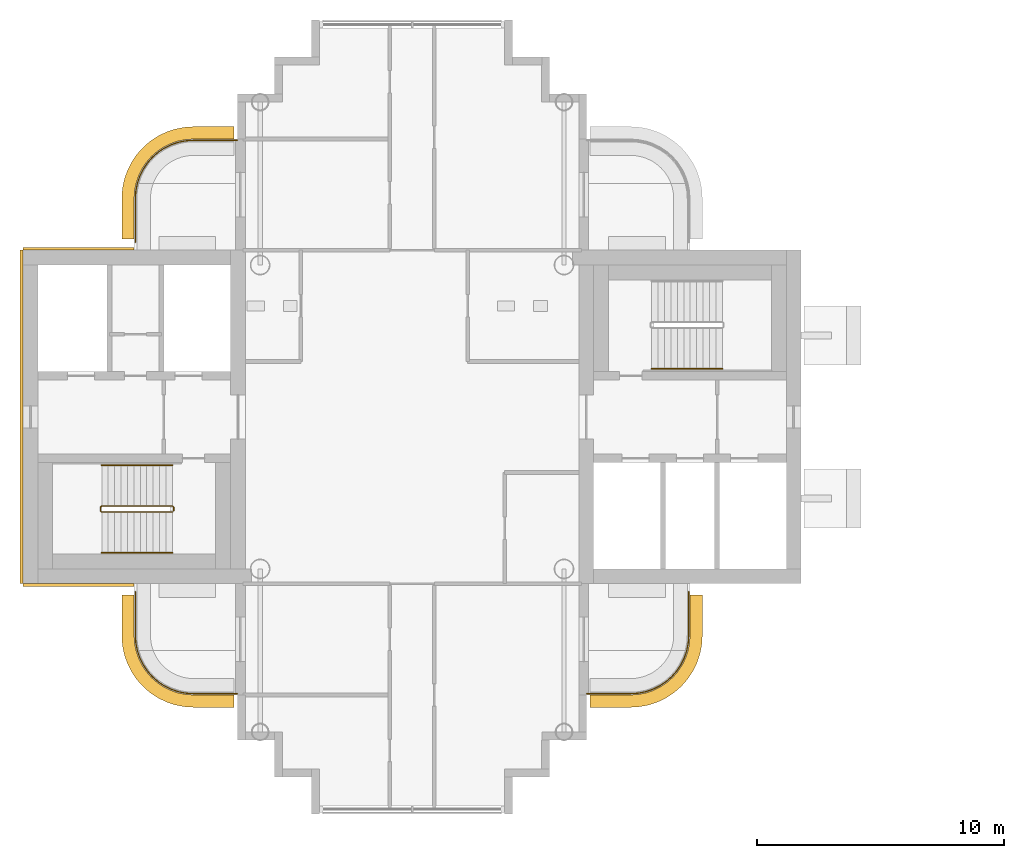
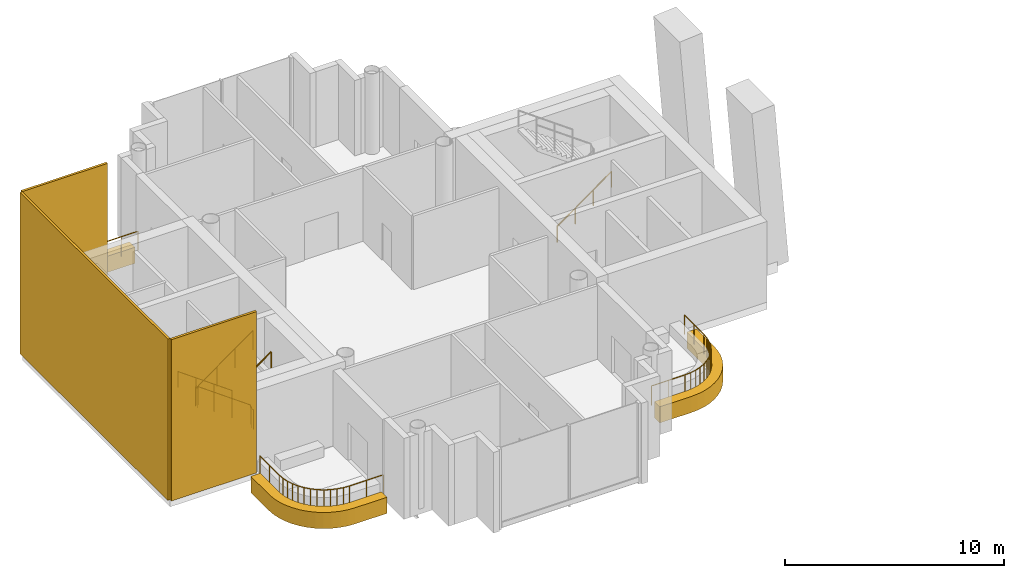
# One storey, part 16 of 19: 7 railings, 6 coverings.
"""IFC4 building model written with IfcOpenShell, lengths in metres."""

from ifc_helpers import new_model, si_unit, direction, frame, origin, origin_2d, place, context, subcontext, project, spatial, polyline, rectangle, circle, outline, extrude, material, layer, layer_set, type_object, element, save


model = new_model("IFC4")

# Units and contexts
model_context = context("Model", 3, precision=1e-05, world=origin(), true_north=direction((0.0, 1.0)))
body_context = subcontext(model_context, "Body", "Model", "MODEL_VIEW")
ifc_project = project(units=[si_unit("LENGTHUNIT", "METRE"), si_unit("AREAUNIT", "SQUARE_METRE"), si_unit("VOLUMEUNIT", "CUBIC_METRE"), si_unit("PLANEANGLEUNIT", "RADIAN"), si_unit("MASSUNIT", "GRAM", prefix="KILO")], contexts=[model_context])

# Site, building, storey
site_placement = place(None, origin())
site = spatial("IfcSite", under=ifc_project, at=site_placement, CompositionType="ELEMENT")
building_placement = place(site_placement, origin())
building = spatial("IfcBuilding", under=site, at=building_placement, Name="Ipe Terrace Towers", CompositionType="ELEMENT")
storey_placement = place(building_placement, frame((0.0, 0.0, 237.89990234375)))
storey = spatial("IfcBuildingStorey", under=building, at=storey_placement, Name="L66", CompositionType="ELEMENT", Elevation=237.89990234375)

# Railings
ifc_material_1 = material(Name="Stainless steel S316", Category="steel")
railing_type_1 = type_object("IfcRailingType", Name="GUARD 1100", PredefinedType="BALUSTRADE", material=ifc_material_1)
railing_1_placement = place(storey_placement, frame((-47.199951171875, -7.070068359375, -0.02001953125)))
element("IfcRailing", 1, at=railing_1_placement, inside=storey, type_object=railing_type_1, Name="guard", PredefinedType="BALUSTRADE", context=body_context, shape_type="SweptSolid", body=[
    extrude(circle(Radius=0.02392578125, at=origin_2d()), frame((0.0, 0.0, 1.076171875), z_axis=(0.0, -1.0, 0.0), x_axis=(1.0, 0.0, 0.0)), (0.0, 0.0, 1.0), 1.77783203125),
    extrude(circle(Radius=0.02392578125, at=origin_2d()), frame((0.0, -1.77783203125, 1.076171875), z_axis=(0.064635492184, -0.99790894031, 0.0), x_axis=(0.99790894031, 0.064635492184, 0.0)), (0.0, 0.0, 1.0), 0.309814453125),
    extrude(circle(Radius=0.02392578125, at=origin_2d()), frame((0.02001953125, -2.0869140625, 1.076171875), z_axis=(0.194892169718, -0.980824674538, 0.0), x_axis=(0.980824674538, 0.194892169718, 0.0)), (0.0, 0.0, 1.0), 0.306884765625),
    extrude(circle(Radius=0.02392578125, at=origin_2d()), frame((0.079833984375, -2.387939453125, 1.076171875), z_axis=(0.322415209212, -0.946598348228, 0.0), x_axis=(0.946598348228, 0.322415209212, 0.0)), (0.0, 0.0, 1.0), 0.307373046875),
    extrude(circle(Radius=0.02392578125, at=origin_2d()), frame((0.178955078125, -2.678955078125, 1.076171875), z_axis=(0.44212629539, -0.896952807524, 0.0), x_axis=(0.896952807524, 0.44212629539, 0.0)), (0.0, 0.0, 1.0), 0.3076171875),
    extrude(circle(Radius=0.02392578125, at=origin_2d()), frame((0.31494140625, -2.954833984375, 1.076171875), z_axis=(0.555066120228, -0.831806228742, 0.0), x_axis=(0.831806228742, 0.555066120228, 0.0)), (0.0, 0.0, 1.0), 0.307861328125),
    extrude(circle(Radius=0.02392578125, at=origin_2d()), frame((0.48583984375, -3.2109375, 1.076171875), z_axis=(0.658617227954, -0.752478137252, 0.0), x_axis=(0.752478137252, 0.658617227954, 0.0)), (0.0, 0.0, 1.0), 0.306884765625),
    extrude(circle(Radius=0.02392578125, at=origin_2d()), frame((0.68798828125, -3.44189453125, 1.076171875), z_axis=(0.752478137252, -0.658617227954, 0.0), x_axis=(0.658617227954, 0.752478137252, 0.0)), (0.0, 0.0, 1.0), 0.306884765625),
    extrude(circle(Radius=0.02392578125, at=origin_2d()), frame((0.9189453125, -3.64404296875, 1.076171875), z_axis=(0.831806228742, -0.555066120228, 0.0), x_axis=(0.555066120228, 0.831806228742, 0.0)), (0.0, 0.0, 1.0), 0.307861328125),
    extrude(circle(Radius=0.02392578125, at=origin_2d()), frame((1.175048828125, -3.81494140625, 1.076171875), z_axis=(0.896952807524, -0.44212629539, 0.0), x_axis=(0.44212629539, 0.896952807524, 0.0)), (0.0, 0.0, 1.0), 0.3076171875),
    extrude(circle(Radius=0.02392578125, at=origin_2d()), frame((1.450927734375, -3.950927734375, 1.076171875), z_axis=(0.946598348228, -0.322415209212, 0.0), x_axis=(0.322415209212, 0.946598348228, 0.0)), (0.0, 0.0, 1.0), 0.307373046875),
    extrude(circle(Radius=0.02392578125, at=origin_2d()), frame((1.741943359375, -4.050048828125, 1.076171875), z_axis=(0.980824674538, -0.194892169718, 0.0), x_axis=(0.194892169718, 0.980824674538, 0.0)), (0.0, 0.0, 1.0), 0.306884765625),
    extrude(circle(Radius=0.02392578125, at=origin_2d()), frame((2.04296875, -4.10986328125, 1.076171875), z_axis=(0.99790894031, -0.064635492184, 0.0), x_axis=(0.064635492184, 0.99790894031, 0.0)), (0.0, 0.0, 1.0), 0.309814453125),
    extrude(circle(Radius=0.02392578125, at=origin_2d()), frame((2.35205078125, -4.1298828125, 1.076171875), z_axis=(1.0, 0.0, 0.0), x_axis=(0.0, 1.0, 0.0)), (0.0, 0.0, 1.0), 1.77783203125),
    extrude(circle(Radius=0.02099609375, at=origin_2d()), origin(), (0.0, 0.0, 1.0), 1.052001953125),
    extrude(circle(Radius=0.02099609375, at=origin_2d()), frame((0.0, -0.888916015625, 0.0)), (0.0, 0.0, 1.0), 1.052001953125),
    extrude(circle(Radius=0.02099609375, at=origin_2d()), frame((0.0, -1.77783203125, 0.0)), (0.0, 0.0, 1.0), 1.052001953125),
    extrude(circle(Radius=0.02099609375, at=origin_2d()), frame((0.02001953125, -2.0869140625, 0.0)), (0.0, 0.0, 1.0), 1.052001953125),
    extrude(circle(Radius=0.02099609375, at=origin_2d()), frame((0.079833984375, -2.387939453125, 0.0)), (0.0, 0.0, 1.0), 1.052001953125),
    extrude(circle(Radius=0.02099609375, at=origin_2d()), frame((0.178955078125, -2.678955078125, 0.0)), (0.0, 0.0, 1.0), 1.052001953125),
    extrude(circle(Radius=0.02099609375, at=origin_2d()), frame((0.31494140625, -2.954833984375, 0.0)), (0.0, 0.0, 1.0), 1.052001953125),
    extrude(circle(Radius=0.02099609375, at=origin_2d()), frame((0.48583984375, -3.2109375, 0.0)), (0.0, 0.0, 1.0), 1.052001953125),
    extrude(circle(Radius=0.02099609375, at=origin_2d()), frame((0.68798828125, -3.44189453125, 0.0)), (0.0, 0.0, 1.0), 1.052001953125),
    extrude(circle(Radius=0.02099609375, at=origin_2d()), frame((0.9189453125, -3.64404296875, 0.0)), (0.0, 0.0, 1.0), 1.052001953125),
    extrude(circle(Radius=0.02099609375, at=origin_2d()), frame((1.175048828125, -3.81494140625, 0.0)), (0.0, 0.0, 1.0), 1.052001953125),
    extrude(circle(Radius=0.02099609375, at=origin_2d()), frame((1.450927734375, -3.950927734375, 0.0)), (0.0, 0.0, 1.0), 1.052001953125),
    extrude(circle(Radius=0.02099609375, at=origin_2d()), frame((1.741943359375, -4.050048828125, 0.0)), (0.0, 0.0, 1.0), 1.052001953125),
    extrude(circle(Radius=0.02099609375, at=origin_2d()), frame((2.04296875, -4.10986328125, 0.0)), (0.0, 0.0, 1.0), 1.052001953125),
    extrude(circle(Radius=0.02099609375, at=origin_2d()), frame((2.35205078125, -4.1298828125, 0.0)), (0.0, 0.0, 1.0), 1.052001953125),
    extrude(circle(Radius=0.02099609375, at=origin_2d()), frame((3.240966796875, -4.1298828125, 0.0)), (0.0, 0.0, 1.0), 1.052001953125),
    extrude(circle(Radius=0.02099609375, at=origin_2d()), frame((4.1298828125, -4.1298828125, 0.0)), (0.0, 0.0, 1.0), 1.052001953125),
])
railing_2_placement = place(storey_placement, frame((-43.070068359375, 11.199951171875, -0.02001953125)))
element("IfcRailing", 2, at=railing_2_placement, inside=storey, type_object=railing_type_1, Name="guard", PredefinedType="BALUSTRADE", context=body_context, shape_type="SweptSolid", body=[
    extrude(circle(Radius=0.02392578125, at=origin_2d()), frame((0.0, 0.0, 1.076171875), z_axis=(-1.0, 0.0, 0.0), x_axis=(0.0, -1.0, 0.0)), (0.0, 0.0, 1.0), 1.77783203125),
    extrude(circle(Radius=0.02392578125, at=origin_2d()), frame((-1.77783203125, 0.0, 1.076171875), z_axis=(-0.99790894031, -0.064635492184, 0.0), x_axis=(0.064635492184, -0.99790894031, 0.0)), (0.0, 0.0, 1.0), 0.309814453125),
    extrude(circle(Radius=0.02392578125, at=origin_2d()), frame((-2.0869140625, -0.02001953125, 1.076171875), z_axis=(-0.980824674538, -0.194892169718, 0.0), x_axis=(0.194892169718, -0.980824674538, 0.0)), (0.0, 0.0, 1.0), 0.306884765625),
    extrude(circle(Radius=0.02392578125, at=origin_2d()), frame((-2.387939453125, -0.079833984375, 1.076171875), z_axis=(-0.946598348228, -0.322415209212, 0.0), x_axis=(0.322415209212, -0.946598348228, 0.0)), (0.0, 0.0, 1.0), 0.307373046875),
    extrude(circle(Radius=0.02392578125, at=origin_2d()), frame((-2.678955078125, -0.178955078125, 1.076171875), z_axis=(-0.896952807524, -0.44212629539, 0.0), x_axis=(0.44212629539, -0.896952807524, 0.0)), (0.0, 0.0, 1.0), 0.3076171875),
    extrude(circle(Radius=0.02392578125, at=origin_2d()), frame((-2.954833984375, -0.31494140625, 1.076171875), z_axis=(-0.831806228742, -0.555066120228, 0.0), x_axis=(0.555066120228, -0.831806228742, 0.0)), (0.0, 0.0, 1.0), 0.307861328125),
    extrude(circle(Radius=0.02392578125, at=origin_2d()), frame((-3.2109375, -0.48583984375, 1.076171875), z_axis=(-0.752478137252, -0.658617227954, 0.0), x_axis=(0.658617227954, -0.752478137252, 0.0)), (0.0, 0.0, 1.0), 0.306884765625),
    extrude(circle(Radius=0.02392578125, at=origin_2d()), frame((-3.44189453125, -0.68798828125, 1.076171875), z_axis=(-0.658617227954, -0.752478137252, 0.0), x_axis=(0.752478137252, -0.658617227954, 0.0)), (0.0, 0.0, 1.0), 0.306884765625),
    extrude(circle(Radius=0.02392578125, at=origin_2d()), frame((-3.64404296875, -0.9189453125, 1.076171875), z_axis=(-0.555066120228, -0.831806228742, 0.0), x_axis=(0.831806228742, -0.555066120228, 0.0)), (0.0, 0.0, 1.0), 0.307861328125),
    extrude(circle(Radius=0.02392578125, at=origin_2d()), frame((-3.81494140625, -1.175048828125, 1.076171875), z_axis=(-0.44212629539, -0.896952807524, 0.0), x_axis=(0.896952807524, -0.44212629539, 0.0)), (0.0, 0.0, 1.0), 0.3076171875),
    extrude(circle(Radius=0.02392578125, at=origin_2d()), frame((-3.950927734375, -1.450927734375, 1.076171875), z_axis=(-0.322415209212, -0.946598348228, 0.0), x_axis=(0.946598348228, -0.322415209212, 0.0)), (0.0, 0.0, 1.0), 0.307373046875),
    extrude(circle(Radius=0.02392578125, at=origin_2d()), frame((-4.050048828125, -1.741943359375, 1.076171875), z_axis=(-0.194892169718, -0.980824674538, 0.0), x_axis=(0.980824674538, -0.194892169718, 0.0)), (0.0, 0.0, 1.0), 0.306884765625),
    extrude(circle(Radius=0.02392578125, at=origin_2d()), frame((-4.10986328125, -2.04296875, 1.076171875), z_axis=(-0.064635492184, -0.99790894031, 0.0), x_axis=(0.99790894031, -0.064635492184, 0.0)), (0.0, 0.0, 1.0), 0.309814453125),
    extrude(circle(Radius=0.02392578125, at=origin_2d()), frame((-4.1298828125, -2.35205078125, 1.076171875), z_axis=(0.0, -1.0, 0.0), x_axis=(1.0, 0.0, 0.0)), (0.0, 0.0, 1.0), 1.77783203125),
    extrude(circle(Radius=0.02099609375, at=origin_2d()), origin(), (0.0, 0.0, 1.0), 1.052001953125),
    extrude(circle(Radius=0.02099609375, at=origin_2d()), frame((-0.888916015625, 0.0, 0.0)), (0.0, 0.0, 1.0), 1.052001953125),
    extrude(circle(Radius=0.02099609375, at=origin_2d()), frame((-1.77783203125, 0.0, 0.0)), (0.0, 0.0, 1.0), 1.052001953125),
    extrude(circle(Radius=0.02099609375, at=origin_2d()), frame((-2.0869140625, -0.02001953125, 0.0)), (0.0, 0.0, 1.0), 1.052001953125),
    extrude(circle(Radius=0.02099609375, at=origin_2d()), frame((-2.387939453125, -0.079833984375, 0.0)), (0.0, 0.0, 1.0), 1.052001953125),
    extrude(circle(Radius=0.02099609375, at=origin_2d()), frame((-2.678955078125, -0.178955078125, 0.0)), (0.0, 0.0, 1.0), 1.052001953125),
    extrude(circle(Radius=0.02099609375, at=origin_2d()), frame((-2.954833984375, -0.31494140625, 0.0)), (0.0, 0.0, 1.0), 1.052001953125),
    extrude(circle(Radius=0.02099609375, at=origin_2d()), frame((-3.2109375, -0.48583984375, 0.0)), (0.0, 0.0, 1.0), 1.052001953125),
    extrude(circle(Radius=0.02099609375, at=origin_2d()), frame((-3.44189453125, -0.68798828125, 0.0)), (0.0, 0.0, 1.0), 1.052001953125),
    extrude(circle(Radius=0.02099609375, at=origin_2d()), frame((-3.64404296875, -0.9189453125, 0.0)), (0.0, 0.0, 1.0), 1.052001953125),
    extrude(circle(Radius=0.02099609375, at=origin_2d()), frame((-3.81494140625, -1.175048828125, 0.0)), (0.0, 0.0, 1.0), 1.052001953125),
    extrude(circle(Radius=0.02099609375, at=origin_2d()), frame((-3.950927734375, -1.450927734375, 0.0)), (0.0, 0.0, 1.0), 1.052001953125),
    extrude(circle(Radius=0.02099609375, at=origin_2d()), frame((-4.050048828125, -1.741943359375, 0.0)), (0.0, 0.0, 1.0), 1.052001953125),
    extrude(circle(Radius=0.02099609375, at=origin_2d()), frame((-4.10986328125, -2.04296875, 0.0)), (0.0, 0.0, 1.0), 1.052001953125),
    extrude(circle(Radius=0.02099609375, at=origin_2d()), frame((-4.1298828125, -2.35205078125, 0.0)), (0.0, 0.0, 1.0), 1.052001953125),
    extrude(circle(Radius=0.02099609375, at=origin_2d()), frame((-4.1298828125, -3.240966796875, 0.0)), (0.0, 0.0, 1.0), 1.052001953125),
    extrude(circle(Radius=0.02099609375, at=origin_2d()), frame((-4.1298828125, -4.1298828125, 0.0)), (0.0, 0.0, 1.0), 1.052001953125),
])
railing_3_placement = place(storey_placement, frame((-28.929931640625, -11.199951171875, -0.02001953125)))
element("IfcRailing", 3, at=railing_3_placement, inside=storey, type_object=railing_type_1, Name="guard", PredefinedType="BALUSTRADE", context=body_context, shape_type="SweptSolid", body=[
    extrude(circle(Radius=0.02392578125, at=origin_2d()), frame((0.0, 0.0, 1.076171875), z_axis=(1.0, 0.0, 0.0), x_axis=(0.0, 1.0, 0.0)), (0.0, 0.0, 1.0), 1.77783203125),
    extrude(circle(Radius=0.02392578125, at=origin_2d()), frame((1.77783203125, 0.0, 1.076171875), z_axis=(0.99790894031, 0.064635492184, 0.0), x_axis=(-0.064635492184, 0.99790894031, 0.0)), (0.0, 0.0, 1.0), 0.309814453125),
    extrude(circle(Radius=0.02392578125, at=origin_2d()), frame((2.0869140625, 0.02001953125, 1.076171875), z_axis=(0.980824674538, 0.194892169718, 0.0), x_axis=(-0.194892169718, 0.980824674538, 0.0)), (0.0, 0.0, 1.0), 0.306884765625),
    extrude(circle(Radius=0.02392578125, at=origin_2d()), frame((2.387939453125, 0.079833984375, 1.076171875), z_axis=(0.946598348228, 0.322415209212, 0.0), x_axis=(-0.322415209212, 0.946598348228, 0.0)), (0.0, 0.0, 1.0), 0.307373046875),
    extrude(circle(Radius=0.02392578125, at=origin_2d()), frame((2.678955078125, 0.178955078125, 1.076171875), z_axis=(0.896952807524, 0.44212629539, 0.0), x_axis=(-0.44212629539, 0.896952807524, 0.0)), (0.0, 0.0, 1.0), 0.3076171875),
    extrude(circle(Radius=0.02392578125, at=origin_2d()), frame((2.954833984375, 0.31494140625, 1.076171875), z_axis=(0.831806228742, 0.555066120228, 0.0), x_axis=(-0.555066120228, 0.831806228742, 0.0)), (0.0, 0.0, 1.0), 0.307861328125),
    extrude(circle(Radius=0.02392578125, at=origin_2d()), frame((3.2109375, 0.48583984375, 1.076171875), z_axis=(0.752478137252, 0.658617227954, 0.0), x_axis=(-0.658617227954, 0.752478137252, 0.0)), (0.0, 0.0, 1.0), 0.306884765625),
    extrude(circle(Radius=0.02392578125, at=origin_2d()), frame((3.44189453125, 0.68798828125, 1.076171875), z_axis=(0.658617227954, 0.752478137252, 0.0), x_axis=(-0.752478137252, 0.658617227954, 0.0)), (0.0, 0.0, 1.0), 0.306884765625),
    extrude(circle(Radius=0.02392578125, at=origin_2d()), frame((3.64404296875, 0.9189453125, 1.076171875), z_axis=(0.555066120228, 0.831806228742, 0.0), x_axis=(-0.831806228742, 0.555066120228, 0.0)), (0.0, 0.0, 1.0), 0.307861328125),
    extrude(circle(Radius=0.02392578125, at=origin_2d()), frame((3.81494140625, 1.175048828125, 1.076171875), z_axis=(0.44212629539, 0.896952807524, 0.0), x_axis=(-0.896952807524, 0.44212629539, 0.0)), (0.0, 0.0, 1.0), 0.3076171875),
    extrude(circle(Radius=0.02392578125, at=origin_2d()), frame((3.950927734375, 1.450927734375, 1.076171875), z_axis=(0.322415209212, 0.946598348228, 0.0), x_axis=(-0.946598348228, 0.322415209212, 0.0)), (0.0, 0.0, 1.0), 0.307373046875),
    extrude(circle(Radius=0.02392578125, at=origin_2d()), frame((4.050048828125, 1.741943359375, 1.076171875), z_axis=(0.194892169718, 0.980824674538, 0.0), x_axis=(-0.980824674538, 0.194892169718, 0.0)), (0.0, 0.0, 1.0), 0.306884765625),
    extrude(circle(Radius=0.02392578125, at=origin_2d()), frame((4.10986328125, 2.04296875, 1.076171875), z_axis=(0.064635492184, 0.99790894031, 0.0), x_axis=(-0.99790894031, 0.064635492184, 0.0)), (0.0, 0.0, 1.0), 0.309814453125),
    extrude(circle(Radius=0.02392578125, at=origin_2d()), frame((4.1298828125, 2.35205078125, 1.076171875), z_axis=(0.0, 1.0, 0.0), x_axis=(-1.0, 0.0, 0.0)), (0.0, 0.0, 1.0), 1.77783203125),
    extrude(circle(Radius=0.02099609375, at=origin_2d()), origin(), (0.0, 0.0, 1.0), 1.052001953125),
    extrude(circle(Radius=0.02099609375, at=origin_2d()), frame((0.888916015625, 0.0, 0.0)), (0.0, 0.0, 1.0), 1.052001953125),
    extrude(circle(Radius=0.02099609375, at=origin_2d()), frame((1.77783203125, 0.0, 0.0)), (0.0, 0.0, 1.0), 1.052001953125),
    extrude(circle(Radius=0.02099609375, at=origin_2d()), frame((2.0869140625, 0.02001953125, 0.0)), (0.0, 0.0, 1.0), 1.052001953125),
    extrude(circle(Radius=0.02099609375, at=origin_2d()), frame((2.387939453125, 0.079833984375, 0.0)), (0.0, 0.0, 1.0), 1.052001953125),
    extrude(circle(Radius=0.02099609375, at=origin_2d()), frame((2.678955078125, 0.178955078125, 0.0)), (0.0, 0.0, 1.0), 1.052001953125),
    extrude(circle(Radius=0.02099609375, at=origin_2d()), frame((2.954833984375, 0.31494140625, 0.0)), (0.0, 0.0, 1.0), 1.052001953125),
    extrude(circle(Radius=0.02099609375, at=origin_2d()), frame((3.2109375, 0.48583984375, 0.0)), (0.0, 0.0, 1.0), 1.052001953125),
    extrude(circle(Radius=0.02099609375, at=origin_2d()), frame((3.44189453125, 0.68798828125, 0.0)), (0.0, 0.0, 1.0), 1.052001953125),
    extrude(circle(Radius=0.02099609375, at=origin_2d()), frame((3.64404296875, 0.9189453125, 0.0)), (0.0, 0.0, 1.0), 1.052001953125),
    extrude(circle(Radius=0.02099609375, at=origin_2d()), frame((3.81494140625, 1.175048828125, 0.0)), (0.0, 0.0, 1.0), 1.052001953125),
    extrude(circle(Radius=0.02099609375, at=origin_2d()), frame((3.950927734375, 1.450927734375, 0.0)), (0.0, 0.0, 1.0), 1.052001953125),
    extrude(circle(Radius=0.02099609375, at=origin_2d()), frame((4.050048828125, 1.741943359375, 0.0)), (0.0, 0.0, 1.0), 1.052001953125),
    extrude(circle(Radius=0.02099609375, at=origin_2d()), frame((4.10986328125, 2.04296875, 0.0)), (0.0, 0.0, 1.0), 1.052001953125),
    extrude(circle(Radius=0.02099609375, at=origin_2d()), frame((4.1298828125, 2.35205078125, 0.0)), (0.0, 0.0, 1.0), 1.052001953125),
    extrude(circle(Radius=0.02099609375, at=origin_2d()), frame((4.1298828125, 3.240966796875, 0.0)), (0.0, 0.0, 1.0), 1.052001953125),
    extrude(circle(Radius=0.02099609375, at=origin_2d()), frame((4.1298828125, 4.1298828125, 0.0)), (0.0, 0.0, 1.0), 1.052001953125),
])

# Coverings
ifc_material_2 = material(Name="Concrete C50/60 precast, buff finish", Category="concrete")
ifc_layer_1 = layer(ifc_material_2, 0.1201171875)
ifc_layer_set_1 = layer_set([ifc_layer_1], Name="STONE CORE CLADDING 120")
covering_type_1 = type_object("IfcCoveringType", Name="STONE CORE CLADDING 120", PredefinedType="CLADDING", material=ifc_layer_set_1)
covering_1_placement = place(storey_placement, frame((-49.5, -6.81005859375, 0.0), z_axis=(0.0, 0.0, 1.0), x_axis=(1.0, 0.0, 0.0)))
element("IfcCovering", 4, at=covering_1_placement, inside=storey, type_object=covering_type_1, Name="stone core cladding", PredefinedType="CLADDING", context=body_context, shape_type="SweptSolid", body=[
    extrude(rectangle(XDim=4.5, YDim=0.1201171875, at=origin_2d()), origin(), (0.0, 0.0, 1.0), 9.0),
])
covering_2_placement = place(storey_placement, frame((-51.81005859375, 0.0, 0.0), z_axis=(0.0, 0.0, 1.0), x_axis=(0.0, -1.0, 0.0)))
element("IfcCovering", 5, at=covering_2_placement, inside=storey, type_object=covering_type_1, Name="stone core cladding", PredefinedType="CLADDING", context=body_context, shape_type="SweptSolid", body=[
    extrude(rectangle(XDim=13.5, YDim=0.1201171875, at=origin_2d()), origin(), (0.0, 0.0, 1.0), 9.0),
])
covering_3_placement = place(storey_placement, frame((-49.5, 6.81005859375, 0.0), z_axis=(0.0, 0.0, 1.0), x_axis=(-1.0, 0.0, 0.0)))
element("IfcCovering", 6, at=covering_3_placement, inside=storey, type_object=covering_type_1, Name="stone core cladding", PredefinedType="CLADDING", context=body_context, shape_type="SweptSolid", body=[
    extrude(rectangle(XDim=4.5, YDim=0.1201171875, at=origin_2d()), origin(), (0.0, 0.0, 1.0), 9.0),
])
ifc_material_3 = material(Name="Concrete C50/60 precast, buff finish", Category="concrete")
ifc_layer_2 = layer(ifc_material_3, 0.5)
ifc_layer_set_2 = layer_set([ifc_layer_2], Name="STONE EDGE BAND 500 x 900")
covering_type_2 = type_object("IfcCoveringType", Name="STONE EDGE BAND 500 x 900", PredefinedType="CLADDING", material=ifc_layer_set_2)
covering_4_placement = place(storey_placement, frame((0.0, 0.0, -0.719970703125)))
element("IfcCovering", 7, at=covering_4_placement, inside=storey, type_object=covering_type_2, Name="stone edge band", PredefinedType="CLADDING", context=body_context, shape_type="SweptSolid", body=[
    extrude(outline(polyline([(-44.85009765625, -11.75), (-43.199951171875, -11.75), (-43.199951171875, -11.25), (-44.85009765625, -11.25), (-45.1630859375, -11.22900390625), (-45.470947265625, -11.16796875), (-45.76806640625, -11.06689453125), (-46.050048828125, -10.927978515625), (-46.31103515625, -10.75390625), (-46.547119140625, -10.547119140625), (-46.75390625, -10.31103515625), (-46.927978515625, -10.050048828125), (-47.06689453125, -9.76806640625), (-47.16796875, -9.470947265625), (-47.22900390625, -9.1630859375), (-47.25, -8.85009765625), (-47.25, -7.199951171875), (-47.75, -7.199951171875), (-47.75, -8.85009765625), (-47.7490234375, -8.883056640625), (-47.72802734375, -9.196044921875), (-47.719970703125, -9.260986328125), (-47.658935546875, -9.569091796875), (-47.64208984375, -9.632080078125), (-47.541015625, -9.928955078125), (-47.51611328125, -9.989990234375), (-47.376953125, -10.27099609375), (-47.343994140625, -10.327880859375), (-47.169921875, -10.589111328125), (-47.1298828125, -10.64111328125), (-46.923095703125, -10.876953125), (-46.876953125, -10.923095703125), (-46.64111328125, -11.1298828125), (-46.589111328125, -11.169921875), (-46.327880859375, -11.343994140625), (-46.27099609375, -11.376953125), (-45.989990234375, -11.51611328125), (-45.928955078125, -11.541015625), (-45.632080078125, -11.64208984375), (-45.569091796875, -11.658935546875), (-45.260986328125, -11.719970703125), (-45.196044921875, -11.72802734375), (-44.883056640625, -11.7490234375), (-44.85009765625, -11.75)])), origin(), (0.0, 0.0, 1.0), 0.900146484375),
])
covering_5_placement = place(storey_placement, frame((0.0, 0.0, -0.719970703125)))
element("IfcCovering", 8, at=covering_5_placement, inside=storey, type_object=covering_type_2, Name="stone edge band", PredefinedType="CLADDING", context=body_context, shape_type="SweptSolid", body=[
    extrude(outline(polyline([(-44.85009765625, 11.75), (-44.883056640625, 11.7490234375), (-45.196044921875, 11.72802734375), (-45.260986328125, 11.719970703125), (-45.569091796875, 11.658935546875), (-45.632080078125, 11.64208984375), (-45.928955078125, 11.541015625), (-45.989990234375, 11.51611328125), (-46.27099609375, 11.376953125), (-46.327880859375, 11.343994140625), (-46.589111328125, 11.169921875), (-46.64111328125, 11.1298828125), (-46.876953125, 10.923095703125), (-46.923095703125, 10.876953125), (-47.1298828125, 10.64111328125), (-47.169921875, 10.589111328125), (-47.343994140625, 10.327880859375), (-47.376953125, 10.27099609375), (-47.51611328125, 9.989990234375), (-47.541015625, 9.928955078125), (-47.64208984375, 9.632080078125), (-47.658935546875, 9.569091796875), (-47.719970703125, 9.260986328125), (-47.72802734375, 9.196044921875), (-47.7490234375, 8.883056640625), (-47.75, 8.85009765625), (-47.75, 7.199951171875), (-47.25, 7.199951171875), (-47.25, 8.85009765625), (-47.22900390625, 9.1630859375), (-47.16796875, 9.470947265625), (-47.06689453125, 9.76806640625), (-46.927978515625, 10.050048828125), (-46.75390625, 10.31103515625), (-46.547119140625, 10.547119140625), (-46.31103515625, 10.75390625), (-46.050048828125, 10.927978515625), (-45.76806640625, 11.06689453125), (-45.470947265625, 11.16796875), (-45.1630859375, 11.22900390625), (-44.85009765625, 11.25), (-43.199951171875, 11.25), (-43.199951171875, 11.75), (-44.85009765625, 11.75)])), origin(), (0.0, 0.0, 1.0), 0.900146484375),
])
covering_6_placement = place(storey_placement, frame((0.0, 0.0, -0.719970703125)))
element("IfcCovering", 9, at=covering_6_placement, inside=storey, type_object=covering_type_2, Name="stone edge band", PredefinedType="CLADDING", context=body_context, shape_type="SweptSolid", body=[
    extrude(outline(polyline([(-27.14990234375, -11.75), (-27.116943359375, -11.7490234375), (-26.803955078125, -11.72802734375), (-26.739013671875, -11.719970703125), (-26.430908203125, -11.658935546875), (-26.367919921875, -11.64208984375), (-26.071044921875, -11.541015625), (-26.010009765625, -11.51611328125), (-25.72900390625, -11.376953125), (-25.672119140625, -11.343994140625), (-25.410888671875, -11.169921875), (-25.35888671875, -11.1298828125), (-25.123046875, -10.923095703125), (-25.076904296875, -10.876953125), (-24.8701171875, -10.64111328125), (-24.830078125, -10.589111328125), (-24.656005859375, -10.327880859375), (-24.623046875, -10.27099609375), (-24.48388671875, -9.989990234375), (-24.458984375, -9.928955078125), (-24.35791015625, -9.632080078125), (-24.341064453125, -9.569091796875), (-24.280029296875, -9.260986328125), (-24.27197265625, -9.196044921875), (-24.2509765625, -8.883056640625), (-24.25, -8.85009765625), (-24.25, -7.199951171875), (-24.75, -7.199951171875), (-24.75, -8.85009765625), (-24.77099609375, -9.1630859375), (-24.83203125, -9.470947265625), (-24.93310546875, -9.76806640625), (-25.072021484375, -10.050048828125), (-25.24609375, -10.31103515625), (-25.452880859375, -10.547119140625), (-25.68896484375, -10.75390625), (-25.949951171875, -10.927978515625), (-26.23193359375, -11.06689453125), (-26.529052734375, -11.16796875), (-26.8369140625, -11.22900390625), (-27.14990234375, -11.25), (-28.800048828125, -11.25), (-28.800048828125, -11.75), (-27.14990234375, -11.75)])), origin(), (0.0, 0.0, 1.0), 0.900146484375),
])

# Railings
ifc_material_4 = material(Name="Steel S355", Category="steel")
railing_type_2 = type_object("IfcRailingType", Name="Stair guard 1100", PredefinedType="GUARDRAIL", material=ifc_material_4)
railing_4_placement = place(storey_placement, frame((-45.64990234375, -3.800048828125, 0.0)))
element("IfcRailing", 10, at=railing_4_placement, inside=storey, type_object=railing_type_2, Name="L66 T1-ST2 stair guard 1", PredefinedType="GUARDRAIL", context=body_context, shape_type="SweptSolid", body=[
    extrude(circle(Radius=0.02392578125, at=origin_2d()), frame((0.0, 0.0, 1.076171875), z_axis=(0.0, 1.0, 0.0), x_axis=(-1.0, 0.0, 0.0)), (0.0, 0.0, 1.0), 0.150146484375),
    extrude(circle(Radius=0.02392578125, at=origin_2d()), frame((0.0, 0.150146484375, 1.076171875), z_axis=(-0.249802250048, 0.248583702486, 0.935844527007), x_axis=(-0.705375805398, -0.708833529934, 0.0)), (0.0, 0.0, 1.0), 0.200439453125),
    extrude(circle(Radius=0.02392578125, at=origin_2d()), frame((-0.050048828125, 0.199951171875, 1.263671875), z_axis=(-0.811100754333, 0.0, 0.584906459462), x_axis=(0.0, -1.0, 0.0)), (0.0, 0.0, 1.0), 3.526123046875),
    extrude(circle(Radius=0.02392578125, at=origin_2d()), frame((-2.91015625, 0.199951171875, 3.326171875), z_axis=(-0.708833529934, -0.705375805398, 0.0), x_axis=(0.705375805398, -0.708833529934, 0.0)), (0.0, 0.0, 1.0), 0.070556640625),
    extrude(circle(Radius=0.02392578125, at=origin_2d()), frame((-2.960205078125, 0.150146484375, 3.326171875), z_axis=(0.0, -1.0, 0.0), x_axis=(1.0, 0.0, 0.0)), (0.0, 0.0, 1.0), 0.150146484375),
    extrude(circle(Radius=0.02392578125, at=origin_2d()), frame((-2.960205078125, 0.0, 3.326171875), z_axis=(0.249726431254, -0.249726431254, 0.935560483917), x_axis=(0.707106781187, 0.707106781187, 0.0)), (0.0, 0.0, 1.0), 0.200439453125),
    extrude(circle(Radius=0.02392578125, at=origin_2d()), frame((-2.91015625, -0.050048828125, 3.513671875), z_axis=(0.811100754333, 0.0, 0.584906459462), x_axis=(0.0, 1.0, 0.0)), (0.0, 0.0, 1.0), 3.526123046875),
    extrude(circle(Radius=0.02099609375, at=origin_2d()), origin(), (0.0, 0.0, 1.0), 1.052001953125),
    extrude(circle(Radius=0.02099609375, at=origin_2d()), frame((0.0, 0.150146484375, 0.0)), (0.0, 0.0, 1.0), 1.052001953125),
    extrude(circle(Radius=0.02099609375, at=origin_2d()), frame((-0.050048828125, 0.199951171875, 0.1875)), (0.0, 0.0, 1.0), 1.052001953125),
    extrude(circle(Radius=0.02099609375, at=origin_2d()), frame((-1.00341796875, 0.199951171875, 0.875)), (0.0, 0.0, 1.0), 1.052001953125),
    extrude(circle(Radius=0.02099609375, at=origin_2d()), frame((-1.956787109375, 0.199951171875, 1.5625)), (0.0, 0.0, 1.0), 1.052001953125),
    extrude(circle(Radius=0.02099609375, at=origin_2d()), frame((-2.91015625, 0.199951171875, 2.25)), (0.0, 0.0, 1.0), 1.052001953125),
    extrude(circle(Radius=0.02099609375, at=origin_2d()), frame((-2.960205078125, 0.150146484375, 2.25)), (0.0, 0.0, 1.0), 1.052001953125),
    extrude(circle(Radius=0.02099609375, at=origin_2d()), frame((-2.960205078125, 0.0, 2.25)), (0.0, 0.0, 1.0), 1.052001953125),
    extrude(circle(Radius=0.02099609375, at=origin_2d()), frame((-2.91015625, -0.050048828125, 2.4375)), (0.0, 0.0, 1.0), 1.052001953125),
    extrude(circle(Radius=0.02099609375, at=origin_2d()), frame((-1.956787109375, -0.050048828125, 3.125)), (0.0, 0.0, 1.0), 1.052001953125),
    extrude(circle(Radius=0.02099609375, at=origin_2d()), frame((-1.00341796875, -0.050048828125, 3.8125)), (0.0, 0.0, 1.0), 1.052001953125),
    extrude(circle(Radius=0.02099609375, at=origin_2d()), frame((-0.050048828125, -0.050048828125, 4.5)), (0.0, 0.0, 1.0), 1.052001953125),
])
ifc_material_5 = material(Name="Stainless steel grade 304", Category="steel")
railing_type_3 = type_object("IfcRailingType", Name="Stair handrail 900", PredefinedType="HANDRAIL", material=ifc_material_5)
railing_5_placement = place(storey_placement, frame((-26.300048828125, 1.949951171875, 0.1875)))
element("IfcRailing", 11, at=railing_5_placement, inside=storey, type_object=railing_type_3, Name="L66 T1-ST1 stair handrail 1", PredefinedType="HANDRAIL", context=body_context, shape_type="SweptSolid", body=[
    extrude(circle(Radius=0.02392578125, at=origin_2d()), frame((0.0, 0.0, 0.8759765625), z_axis=(0.811100754333, 0.0, 0.584906459462), x_axis=(0.0, 1.0, 0.0)), (0.0, 0.0, 1.0), 3.526123046875),
    extrude(circle(Radius=0.02099609375, at=origin_2d()), origin(), (0.0, 0.0, 1.0), 0.851806640625),
    extrude(circle(Radius=0.02099609375, at=origin_2d()), frame((0.953369140625, 0.0, 0.6875)), (0.0, 0.0, 1.0), 0.851806640625),
    extrude(circle(Radius=0.02099609375, at=origin_2d()), frame((1.90673828125, 0.0, 1.375)), (0.0, 0.0, 1.0), 0.851806640625),
    extrude(circle(Radius=0.02099609375, at=origin_2d()), frame((2.860107421875, 0.0, 2.0625)), (0.0, 0.0, 1.0), 0.851806640625),
])
railing_6_placement = place(storey_placement, frame((-45.699951171875, -1.949951171875, 0.1875)))
element("IfcRailing", 12, at=railing_6_placement, inside=storey, type_object=railing_type_3, Name="L66 T1-ST2 stair handrail 1", PredefinedType="HANDRAIL", context=body_context, shape_type="SweptSolid", body=[
    extrude(circle(Radius=0.02392578125, at=origin_2d()), frame((0.0, 0.0, 0.8759765625), z_axis=(-0.811100754333, 0.0, 0.584906459462), x_axis=(0.0, -1.0, 0.0)), (0.0, 0.0, 1.0), 3.526123046875),
    extrude(circle(Radius=0.02099609375, at=origin_2d()), origin(), (0.0, 0.0, 1.0), 0.851806640625),
    extrude(circle(Radius=0.02099609375, at=origin_2d()), frame((-0.953369140625, 0.0, 0.6875)), (0.0, 0.0, 1.0), 0.851806640625),
    extrude(circle(Radius=0.02099609375, at=origin_2d()), frame((-1.90673828125, 0.0, 1.375)), (0.0, 0.0, 1.0), 0.851806640625),
    extrude(circle(Radius=0.02099609375, at=origin_2d()), frame((-2.860107421875, 0.0, 2.0625)), (0.0, 0.0, 1.0), 0.851806640625),
])
railing_7_placement = place(storey_placement, frame((-48.56005859375, -5.5, 2.4375)))
element("IfcRailing", 13, at=railing_7_placement, inside=storey, type_object=railing_type_3, Name="L66 T1-ST2 stair handrail 2", PredefinedType="HANDRAIL", context=body_context, shape_type="SweptSolid", body=[
    extrude(circle(Radius=0.02392578125, at=origin_2d()), frame((0.0, 0.0, 0.8759765625), z_axis=(0.811100754333, 0.0, 0.584906459462), x_axis=(0.0, 1.0, 0.0)), (0.0, 0.0, 1.0), 3.526123046875),
    extrude(circle(Radius=0.02099609375, at=origin_2d()), origin(), (0.0, 0.0, 1.0), 0.851806640625),
    extrude(circle(Radius=0.02099609375, at=origin_2d()), frame((0.953369140625, 0.0, 0.6875)), (0.0, 0.0, 1.0), 0.851806640625),
    extrude(circle(Radius=0.02099609375, at=origin_2d()), frame((1.90673828125, 0.0, 1.375)), (0.0, 0.0, 1.0), 0.851806640625),
    extrude(circle(Radius=0.02099609375, at=origin_2d()), frame((2.860107421875, 0.0, 2.0625)), (0.0, 0.0, 1.0), 0.851806640625),
])

save(model, "model.ifc")
